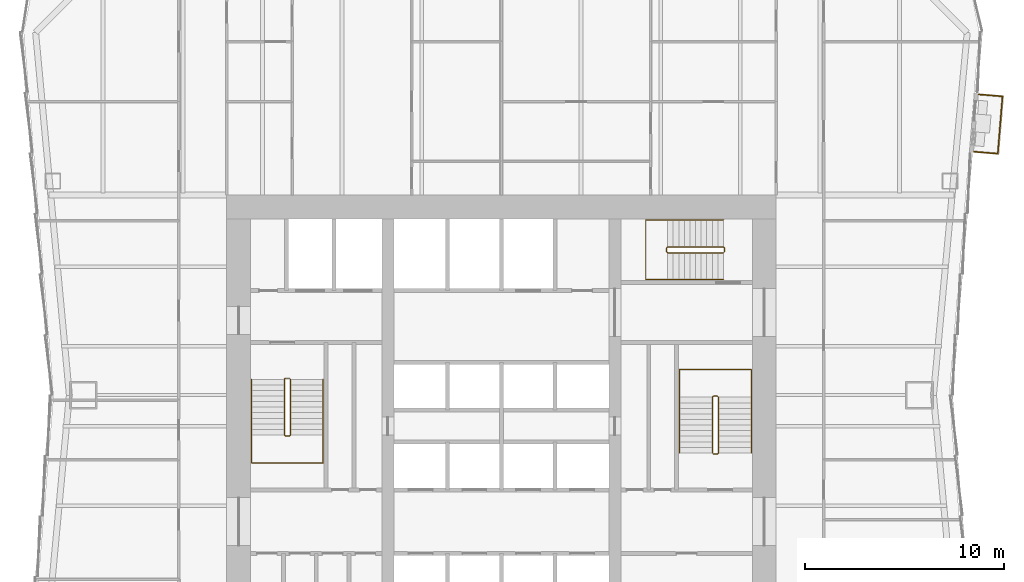
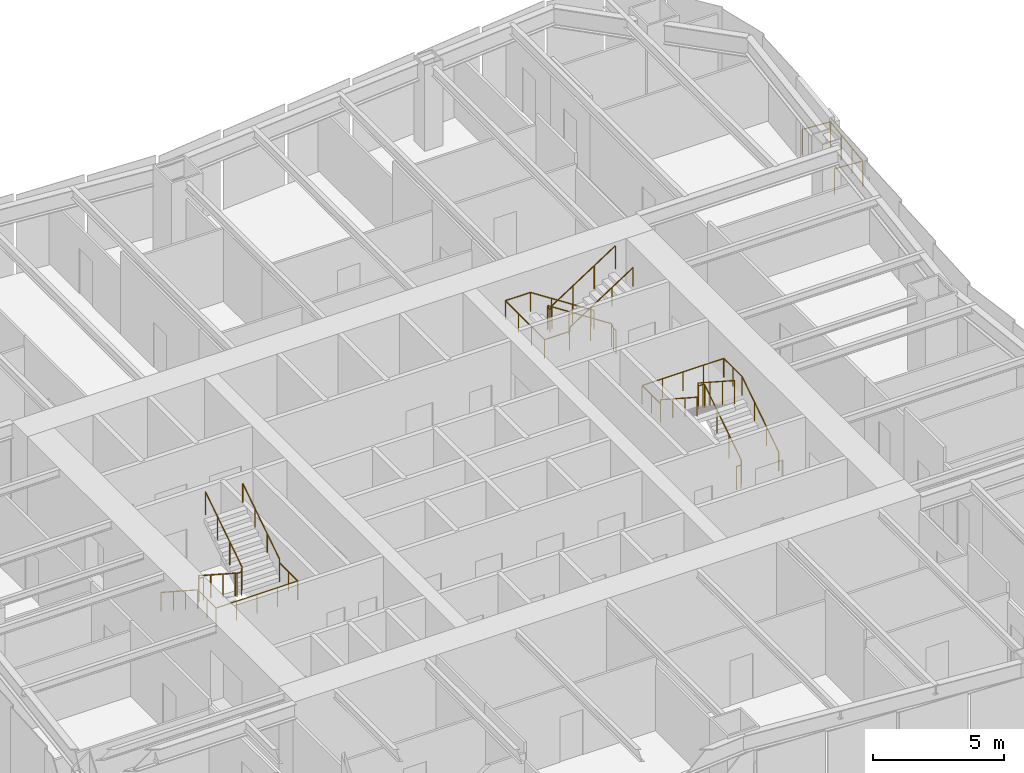
# One storey, part 8 of 9: 7 railings.
"""IFC4 building model written with IfcOpenShell, lengths in metres."""

from ifc_helpers import new_model, si_unit, direction, frame, origin, origin_2d, place, context, subcontext, project, spatial, circle, extrude, material, type_object, element, save


model = new_model("IFC4")

# Units and contexts
model_context = context("Model", 3, precision=1e-05, world=origin(), true_north=direction((0.0, 1.0)))
body_context = subcontext(model_context, "Body", "Model", "MODEL_VIEW")
ifc_project = project(units=[si_unit("LENGTHUNIT", "METRE"), si_unit("AREAUNIT", "SQUARE_METRE"), si_unit("VOLUMEUNIT", "CUBIC_METRE"), si_unit("PLANEANGLEUNIT", "RADIAN"), si_unit("MASSUNIT", "GRAM", prefix="KILO")], contexts=[model_context])

# Site, building, storey
site_placement = place(None, origin())
site = spatial("IfcSite", under=ifc_project, at=site_placement, CompositionType="ELEMENT")
building_placement = place(site_placement, origin())
building = spatial("IfcBuilding", under=site, at=building_placement, Name="Verdant Reach Tower", CompositionType="ELEMENT")
storey_placement = place(building_placement, frame((0.0, 0.0, 74.0)))
storey = spatial("IfcBuildingStorey", under=building, at=storey_placement, Name="L16", CompositionType="ELEMENT", Elevation=74.0)

# Railings
ifc_material_1 = material(Name="Stainless steel", Category="steel")
railing_type_1 = type_object("IfcRailingType", Name="CO-GUARD", PredefinedType="GUARDRAIL", material=ifc_material_1)
railing_1_placement = place(storey_placement, frame((-10.64990234375, 29.60009765625, 0.0)))
element("IfcRailing", 1, at=railing_1_placement, inside=storey, type_object=railing_type_1, Name="L16 ST-1 stair guard 1", PredefinedType="GUARDRAIL", context=body_context, shape_type="SweptSolid", body=[
    extrude(circle(Radius=0.02392578125, at=origin_2d()), frame((0.0, 0.0, 1.076171875), z_axis=(-1.0, 0.0, 0.0), x_axis=(0.0, -1.0, 0.0)), (0.0, 0.0, 1.0), 0.2001953125),
    extrude(circle(Radius=0.02392578125, at=origin_2d()), frame((-0.2001953125, 0.0, 1.076171875), z_axis=(-0.25526617399, -0.256517478764, 0.932222056972), x_axis=(0.708833529934, -0.705375805398, 0.0)), (0.0, 0.0, 1.0), 0.195068359375),
    extrude(circle(Radius=0.02392578125, at=origin_2d()), frame((-0.25, -0.050048828125, 1.2578125), z_axis=(0.0, -0.838705829183, 0.544584733623), x_axis=(1.0, 0.0, 0.0)), (0.0, 0.0, 1.0), 3.338623046875),
    extrude(circle(Radius=0.02392578125, at=origin_2d()), frame((-0.25, -2.85009765625, 3.076171875), z_axis=(0.705375805398, -0.708833529934, 0.0), x_axis=(0.708833529934, 0.705375805398, 0.0)), (0.0, 0.0, 1.0), 0.070556640625),
    extrude(circle(Radius=0.02392578125, at=origin_2d()), frame((-0.2001953125, -2.900146484375, 3.076171875), z_axis=(1.0, 0.0, 0.0), x_axis=(0.0, 1.0, 0.0)), (0.0, 0.0, 1.0), 0.2001953125),
    extrude(circle(Radius=0.02392578125, at=origin_2d()), frame((0.0, -2.900146484375, 3.076171875), z_axis=(0.25526617399, 0.256517478764, 0.932222056972), x_axis=(-0.708833529934, 0.705375805398, 0.0)), (0.0, 0.0, 1.0), 0.195068359375),
    extrude(circle(Radius=0.02392578125, at=origin_2d()), frame((0.0498046875, -2.85009765625, 3.2578125), z_axis=(0.0, 0.838705829183, 0.544584733623), x_axis=(-1.0, 0.0, 0.0)), (0.0, 0.0, 1.0), 3.338623046875),
    extrude(circle(Radius=0.02099609375, at=origin_2d()), origin(), (0.0, 0.0, 1.0), 1.052001953125),
    extrude(circle(Radius=0.02099609375, at=origin_2d()), frame((-0.2001953125, 0.0, 0.0)), (0.0, 0.0, 1.0), 1.052001953125),
    extrude(circle(Radius=0.02099609375, at=origin_2d()), frame((-0.25, -0.050048828125, 0.181884765625)), (0.0, 0.0, 1.0), 1.052001953125),
    extrude(circle(Radius=0.02099609375, at=origin_2d()), frame((-0.25, -0.9833984375, 0.787841796875)), (0.0, 0.0, 1.0), 1.052001953125),
    extrude(circle(Radius=0.02099609375, at=origin_2d()), frame((-0.25, -1.916748046875, 1.39404296875)), (0.0, 0.0, 1.0), 1.052001953125),
    extrude(circle(Radius=0.02099609375, at=origin_2d()), frame((-0.25, -2.85009765625, 2.0)), (0.0, 0.0, 1.0), 1.052001953125),
    extrude(circle(Radius=0.02099609375, at=origin_2d()), frame((-0.2001953125, -2.900146484375, 2.0)), (0.0, 0.0, 1.0), 1.052001953125),
    extrude(circle(Radius=0.02099609375, at=origin_2d()), frame((0.0, -2.900146484375, 2.0)), (0.0, 0.0, 1.0), 1.052001953125),
    extrude(circle(Radius=0.02099609375, at=origin_2d()), frame((0.0498046875, -2.85009765625, 2.181884765625)), (0.0, 0.0, 1.0), 1.052001953125),
    extrude(circle(Radius=0.02099609375, at=origin_2d()), frame((0.0498046875, -1.916748046875, 2.787841796875)), (0.0, 0.0, 1.0), 1.052001953125),
    extrude(circle(Radius=0.02099609375, at=origin_2d()), frame((0.0498046875, -0.9833984375, 3.39404296875)), (0.0, 0.0, 1.0), 1.052001953125),
    extrude(circle(Radius=0.02099609375, at=origin_2d()), frame((0.0498046875, -0.050048828125, 4.0)), (0.0, 0.0, 1.0), 1.052001953125),
])
railing_2_placement = place(storey_placement, frame((10.64990234375, 25.800048828125, 0.0)))
element("IfcRailing", 2, at=railing_2_placement, inside=storey, type_object=railing_type_1, Name="L16 ST-2 stair guard 1", PredefinedType="GUARDRAIL", context=body_context, shape_type="SweptSolid", body=[
    extrude(circle(Radius=0.02392578125, at=origin_2d()), frame((0.0, 0.0, 1.076171875), z_axis=(1.0, 0.0, 0.0), x_axis=(0.0, 1.0, 0.0)), (0.0, 0.0, 1.0), 0.2001953125),
    extrude(circle(Radius=0.02392578125, at=origin_2d()), frame((0.2001953125, 0.0, 1.076171875), z_axis=(0.25526617399, 0.256517478764, 0.932222056972), x_axis=(-0.708833529934, 0.705375805398, 0.0)), (0.0, 0.0, 1.0), 0.195068359375),
    extrude(circle(Radius=0.02392578125, at=origin_2d()), frame((0.25, 0.050048828125, 1.2578125), z_axis=(0.0, 0.83868413941, 0.544618136222), x_axis=(-1.0, 0.0, 0.0)), (0.0, 0.0, 1.0), 3.33837890625),
    extrude(circle(Radius=0.02392578125, at=origin_2d()), frame((0.25, 2.849853515625, 3.076171875), z_axis=(-0.705375805398, 0.708833529934, 0.0), x_axis=(-0.708833529934, -0.705375805398, 0.0)), (0.0, 0.0, 1.0), 0.070556640625),
    extrude(circle(Radius=0.02392578125, at=origin_2d()), frame((0.2001953125, 2.89990234375, 3.076171875), z_axis=(-1.0, 0.0, 0.0), x_axis=(0.0, -1.0, 0.0)), (0.0, 0.0, 1.0), 0.2001953125),
    extrude(circle(Radius=0.02392578125, at=origin_2d()), frame((0.0, 2.89990234375, 3.076171875), z_axis=(-0.25526617399, -0.256517478764, 0.932222056972), x_axis=(0.708833529934, -0.705375805398, 0.0)), (0.0, 0.0, 1.0), 0.195068359375),
    extrude(circle(Radius=0.02392578125, at=origin_2d()), frame((-0.0498046875, 2.849853515625, 3.2578125), z_axis=(0.0, -0.83868413941, 0.544618136222), x_axis=(1.0, 0.0, 0.0)), (0.0, 0.0, 1.0), 3.33837890625),
    extrude(circle(Radius=0.02099609375, at=origin_2d()), origin(), (0.0, 0.0, 1.0), 1.052001953125),
    extrude(circle(Radius=0.02099609375, at=origin_2d()), frame((0.2001953125, 0.0, 0.0)), (0.0, 0.0, 1.0), 1.052001953125),
    extrude(circle(Radius=0.02099609375, at=origin_2d()), frame((0.25, 0.050048828125, 0.181884765625)), (0.0, 0.0, 1.0), 1.052001953125),
    extrude(circle(Radius=0.02099609375, at=origin_2d()), frame((0.25, 0.9833984375, 0.787841796875)), (0.0, 0.0, 1.0), 1.052001953125),
    extrude(circle(Radius=0.02099609375, at=origin_2d()), frame((0.25, 1.91650390625, 1.39404296875)), (0.0, 0.0, 1.0), 1.052001953125),
    extrude(circle(Radius=0.02099609375, at=origin_2d()), frame((0.25, 2.849853515625, 2.0)), (0.0, 0.0, 1.0), 1.052001953125),
    extrude(circle(Radius=0.02099609375, at=origin_2d()), frame((0.2001953125, 2.89990234375, 2.0)), (0.0, 0.0, 1.0), 1.052001953125),
    extrude(circle(Radius=0.02099609375, at=origin_2d()), frame((0.0, 2.89990234375, 2.0)), (0.0, 0.0, 1.0), 1.052001953125),
    extrude(circle(Radius=0.02099609375, at=origin_2d()), frame((-0.0498046875, 2.849853515625, 2.181884765625)), (0.0, 0.0, 1.0), 1.052001953125),
    extrude(circle(Radius=0.02099609375, at=origin_2d()), frame((-0.0498046875, 1.91650390625, 2.787841796875)), (0.0, 0.0, 1.0), 1.052001953125),
    extrude(circle(Radius=0.02099609375, at=origin_2d()), frame((-0.0498046875, 0.9833984375, 3.39404296875)), (0.0, 0.0, 1.0), 1.052001953125),
    extrude(circle(Radius=0.02099609375, at=origin_2d()), frame((-0.0498046875, 0.050048828125, 4.0)), (0.0, 0.0, 1.0), 1.052001953125),
])
railing_3_placement = place(storey_placement, frame((11.199951171875, 35.949951171875, 0.0)))
element("IfcRailing", 3, at=railing_3_placement, inside=storey, type_object=railing_type_1, Name="L16 ST-3 stair guard 1", PredefinedType="GUARDRAIL", context=body_context, shape_type="SweptSolid", body=[
    extrude(circle(Radius=0.02392578125, at=origin_2d()), frame((0.0, 0.0, 1.076171875), z_axis=(0.0, 1.0, 0.0), x_axis=(-1.0, 0.0, 0.0)), (0.0, 0.0, 1.0), 0.199951171875),
    extrude(circle(Radius=0.02392578125, at=origin_2d()), frame((0.0, 0.199951171875, 1.076171875), z_axis=(-0.256435381639, 0.256435381639, 0.931923704005), x_axis=(-0.707106781187, -0.707106781187, 0.0)), (0.0, 0.0, 1.0), 0.195068359375),
    extrude(circle(Radius=0.02392578125, at=origin_2d()), frame((-0.050048828125, 0.25, 1.2578125), z_axis=(-0.83868413941, 0.0, 0.544618136222), x_axis=(0.0, -1.0, 0.0)), (0.0, 0.0, 1.0), 3.33837890625),
    extrude(circle(Radius=0.02392578125, at=origin_2d()), frame((-2.849853515625, 0.25, 3.076171875), z_axis=(-0.707106781187, -0.707106781187, 0.0), x_axis=(0.707106781187, -0.707106781187, 0.0)), (0.0, 0.0, 1.0), 0.07080078125),
    extrude(circle(Radius=0.02392578125, at=origin_2d()), frame((-2.89990234375, 0.199951171875, 3.076171875), z_axis=(0.0, -1.0, 0.0), x_axis=(1.0, 0.0, 0.0)), (0.0, 0.0, 1.0), 0.199951171875),
    extrude(circle(Radius=0.02392578125, at=origin_2d()), frame((-2.89990234375, 0.0, 3.076171875), z_axis=(0.256435381639, -0.256435381639, 0.931923704005), x_axis=(0.707106781187, 0.707106781187, 0.0)), (0.0, 0.0, 1.0), 0.195068359375),
    extrude(circle(Radius=0.02392578125, at=origin_2d()), frame((-2.849853515625, -0.050048828125, 3.2578125), z_axis=(0.83868413941, 0.0, 0.544618136222), x_axis=(0.0, 1.0, 0.0)), (0.0, 0.0, 1.0), 3.33837890625),
    extrude(circle(Radius=0.02099609375, at=origin_2d()), origin(), (0.0, 0.0, 1.0), 1.052001953125),
    extrude(circle(Radius=0.02099609375, at=origin_2d()), frame((0.0, 0.199951171875, 0.0)), (0.0, 0.0, 1.0), 1.052001953125),
    extrude(circle(Radius=0.02099609375, at=origin_2d()), frame((-0.050048828125, 0.25, 0.181884765625)), (0.0, 0.0, 1.0), 1.052001953125),
    extrude(circle(Radius=0.02099609375, at=origin_2d()), frame((-0.9833984375, 0.25, 0.787841796875)), (0.0, 0.0, 1.0), 1.052001953125),
    extrude(circle(Radius=0.02099609375, at=origin_2d()), frame((-1.91650390625, 0.25, 1.39404296875)), (0.0, 0.0, 1.0), 1.052001953125),
    extrude(circle(Radius=0.02099609375, at=origin_2d()), frame((-2.849853515625, 0.25, 2.0)), (0.0, 0.0, 1.0), 1.052001953125),
    extrude(circle(Radius=0.02099609375, at=origin_2d()), frame((-2.89990234375, 0.199951171875, 2.0)), (0.0, 0.0, 1.0), 1.052001953125),
    extrude(circle(Radius=0.02099609375, at=origin_2d()), frame((-2.89990234375, 0.0, 2.0)), (0.0, 0.0, 1.0), 1.052001953125),
    extrude(circle(Radius=0.02099609375, at=origin_2d()), frame((-2.849853515625, -0.050048828125, 2.181884765625)), (0.0, 0.0, 1.0), 1.052001953125),
    extrude(circle(Radius=0.02099609375, at=origin_2d()), frame((-1.91650390625, -0.050048828125, 2.787841796875)), (0.0, 0.0, 1.0), 1.052001953125),
    extrude(circle(Radius=0.02099609375, at=origin_2d()), frame((-0.9833984375, -0.050048828125, 3.39404296875)), (0.0, 0.0, 1.0), 1.052001953125),
    extrude(circle(Radius=0.02099609375, at=origin_2d()), frame((-0.050048828125, -0.050048828125, 4.0)), (0.0, 0.0, 1.0), 1.052001953125),
])
railing_type_2 = type_object("IfcRailingType", Name="CO-HANDRAIL", PredefinedType="HANDRAIL", material=ifc_material_1)
railing_4_placement = place(storey_placement, frame((-12.550048828125, 29.550048828125, 0.181884765625)))
element("IfcRailing", 4, at=railing_4_placement, inside=storey, type_object=railing_type_2, Name="L16 ST-1 stair handrail 1", PredefinedType="HANDRAIL", context=body_context, shape_type="SweptSolid", body=[
    extrude(circle(Radius=0.02392578125, at=origin_2d()), frame((0.0, 0.0, 0.8759765625), z_axis=(0.0, -0.838705829183, 0.544584733623), x_axis=(1.0, 0.0, 0.0)), (0.0, 0.0, 1.0), 3.338623046875),
    extrude(circle(Radius=0.02392578125, at=origin_2d()), frame((0.0, -2.800048828125, 2.69384765625), z_axis=(0.0, -1.0, 0.0), x_axis=(1.0, 0.0, 0.0)), (0.0, 0.0, 1.0), 1.39990234375),
    extrude(circle(Radius=0.02392578125, at=origin_2d()), frame((0.0, -4.199951171875, 2.69384765625), z_axis=(1.0, 0.0, 0.0), x_axis=(0.0, 1.0, 0.0)), (0.0, 0.0, 1.0), 3.60009765625),
    extrude(circle(Radius=0.02392578125, at=origin_2d()), frame((3.60009765625, -4.199951171875, 2.69384765625), z_axis=(0.0, 1.0, 0.0), x_axis=(-1.0, 0.0, 0.0)), (0.0, 0.0, 1.0), 1.39990234375),
    extrude(circle(Radius=0.02392578125, at=origin_2d()), frame((3.60009765625, -2.800048828125, 2.69384765625), z_axis=(0.0, 0.0, 1.0), x_axis=(1.0, 0.0, 0.0)), (0.0, 0.0, 1.0), 0.181884765625),
    extrude(circle(Radius=0.02392578125, at=origin_2d()), frame((3.60009765625, -2.800048828125, 2.8759765625), z_axis=(0.0, 0.838705829183, 0.544584733623), x_axis=(-1.0, 0.0, 0.0)), (0.0, 0.0, 1.0), 3.338623046875),
    extrude(circle(Radius=0.02099609375, at=origin_2d()), origin(), (0.0, 0.0, 1.0), 0.851806640625),
    extrude(circle(Radius=0.02099609375, at=origin_2d()), frame((0.0, -0.933349609375, 0.60595703125)), (0.0, 0.0, 1.0), 0.851806640625),
    extrude(circle(Radius=0.02099609375, at=origin_2d()), frame((0.0, -1.86669921875, 1.212158203125)), (0.0, 0.0, 1.0), 0.851806640625),
    extrude(circle(Radius=0.02099609375, at=origin_2d()), frame((0.0, -2.800048828125, 1.818115234375)), (0.0, 0.0, 1.0), 0.851806640625),
    extrude(circle(Radius=0.02099609375, at=origin_2d()), frame((0.0, -3.5, 1.818115234375)), (0.0, 0.0, 1.0), 0.851806640625),
    extrude(circle(Radius=0.02099609375, at=origin_2d()), frame((0.0, -4.199951171875, 1.818115234375)), (0.0, 0.0, 1.0), 0.851806640625),
    extrude(circle(Radius=0.02099609375, at=origin_2d()), frame((0.89990234375, -4.199951171875, 1.818115234375)), (0.0, 0.0, 1.0), 0.851806640625),
    extrude(circle(Radius=0.02099609375, at=origin_2d()), frame((1.800048828125, -4.199951171875, 1.818115234375)), (0.0, 0.0, 1.0), 0.851806640625),
    extrude(circle(Radius=0.02099609375, at=origin_2d()), frame((2.7001953125, -4.199951171875, 1.818115234375)), (0.0, 0.0, 1.0), 0.851806640625),
    extrude(circle(Radius=0.02099609375, at=origin_2d()), frame((3.60009765625, -4.199951171875, 1.818115234375)), (0.0, 0.0, 1.0), 0.851806640625),
    extrude(circle(Radius=0.02099609375, at=origin_2d()), frame((3.60009765625, -3.5, 1.818115234375)), (0.0, 0.0, 1.0), 0.851806640625),
    extrude(circle(Radius=0.02099609375, at=origin_2d()), frame((3.60009765625, -2.800048828125, 1.818115234375)), (0.0, 0.0, 1.0), 0.851806640625),
    extrude(circle(Radius=0.02099609375, at=origin_2d()), frame((3.60009765625, -2.800048828125, 2.0)), (0.0, 0.0, 1.0), 0.851806640625),
    extrude(circle(Radius=0.02099609375, at=origin_2d()), frame((3.60009765625, -1.86669921875, 2.60595703125)), (0.0, 0.0, 1.0), 0.851806640625),
    extrude(circle(Radius=0.02099609375, at=origin_2d()), frame((3.60009765625, -0.933349609375, 3.212158203125)), (0.0, 0.0, 1.0), 0.851806640625),
    extrude(circle(Radius=0.02099609375, at=origin_2d()), frame((3.60009765625, 0.0, 3.818115234375)), (0.0, 0.0, 1.0), 0.851806640625),
])
railing_5_placement = place(storey_placement, frame((12.550048828125, 25.85009765625, 0.181884765625)))
element("IfcRailing", 5, at=railing_5_placement, inside=storey, type_object=railing_type_2, Name="L16 ST-2 stair handrail 1", PredefinedType="HANDRAIL", context=body_context, shape_type="SweptSolid", body=[
    extrude(circle(Radius=0.02392578125, at=origin_2d()), frame((0.0, 0.0, 0.8759765625), z_axis=(0.0, 0.83868413941, 0.544618136222), x_axis=(-1.0, 0.0, 0.0)), (0.0, 0.0, 1.0), 3.33837890625),
    extrude(circle(Radius=0.02392578125, at=origin_2d()), frame((0.0, 2.7998046875, 2.69384765625), z_axis=(0.0, 1.0, 0.0), x_axis=(-1.0, 0.0, 0.0)), (0.0, 0.0, 1.0), 1.400146484375),
    extrude(circle(Radius=0.02392578125, at=origin_2d()), frame((0.0, 4.199951171875, 2.69384765625), z_axis=(-1.0, 0.0, 0.0), x_axis=(0.0, -1.0, 0.0)), (0.0, 0.0, 1.0), 3.60009765625),
    extrude(circle(Radius=0.02392578125, at=origin_2d()), frame((-3.60009765625, 4.199951171875, 2.69384765625), z_axis=(0.0, -1.0, 0.0), x_axis=(1.0, 0.0, 0.0)), (0.0, 0.0, 1.0), 1.400146484375),
    extrude(circle(Radius=0.02392578125, at=origin_2d()), frame((-3.60009765625, 2.7998046875, 2.69384765625), z_axis=(0.0, 0.0, 1.0), x_axis=(1.0, 0.0, 0.0)), (0.0, 0.0, 1.0), 0.181884765625),
    extrude(circle(Radius=0.02392578125, at=origin_2d()), frame((-3.60009765625, 2.7998046875, 2.8759765625), z_axis=(0.0, -0.83868413941, 0.544618136222), x_axis=(1.0, 0.0, 0.0)), (0.0, 0.0, 1.0), 3.33837890625),
    extrude(circle(Radius=0.02099609375, at=origin_2d()), origin(), (0.0, 0.0, 1.0), 0.851806640625),
    extrude(circle(Radius=0.02099609375, at=origin_2d()), frame((0.0, 0.933349609375, 0.60595703125)), (0.0, 0.0, 1.0), 0.851806640625),
    extrude(circle(Radius=0.02099609375, at=origin_2d()), frame((0.0, 1.866455078125, 1.212158203125)), (0.0, 0.0, 1.0), 0.851806640625),
    extrude(circle(Radius=0.02099609375, at=origin_2d()), frame((0.0, 2.7998046875, 1.818115234375)), (0.0, 0.0, 1.0), 0.851806640625),
    extrude(circle(Radius=0.02099609375, at=origin_2d()), frame((0.0, 3.5, 1.818115234375)), (0.0, 0.0, 1.0), 0.851806640625),
    extrude(circle(Radius=0.02099609375, at=origin_2d()), frame((0.0, 4.199951171875, 1.818115234375)), (0.0, 0.0, 1.0), 0.851806640625),
    extrude(circle(Radius=0.02099609375, at=origin_2d()), frame((-0.89990234375, 4.199951171875, 1.818115234375)), (0.0, 0.0, 1.0), 0.851806640625),
    extrude(circle(Radius=0.02099609375, at=origin_2d()), frame((-1.800048828125, 4.199951171875, 1.818115234375)), (0.0, 0.0, 1.0), 0.851806640625),
    extrude(circle(Radius=0.02099609375, at=origin_2d()), frame((-2.7001953125, 4.199951171875, 1.818115234375)), (0.0, 0.0, 1.0), 0.851806640625),
    extrude(circle(Radius=0.02099609375, at=origin_2d()), frame((-3.60009765625, 4.199951171875, 1.818115234375)), (0.0, 0.0, 1.0), 0.851806640625),
    extrude(circle(Radius=0.02099609375, at=origin_2d()), frame((-3.60009765625, 3.5, 1.818115234375)), (0.0, 0.0, 1.0), 0.851806640625),
    extrude(circle(Radius=0.02099609375, at=origin_2d()), frame((-3.60009765625, 2.7998046875, 1.818115234375)), (0.0, 0.0, 1.0), 0.851806640625),
    extrude(circle(Radius=0.02099609375, at=origin_2d()), frame((-3.60009765625, 2.7998046875, 2.0)), (0.0, 0.0, 1.0), 0.851806640625),
    extrude(circle(Radius=0.02099609375, at=origin_2d()), frame((-3.60009765625, 1.866455078125, 2.60595703125)), (0.0, 0.0, 1.0), 0.851806640625),
    extrude(circle(Radius=0.02099609375, at=origin_2d()), frame((-3.60009765625, 0.933349609375, 3.212158203125)), (0.0, 0.0, 1.0), 0.851806640625),
    extrude(circle(Radius=0.02099609375, at=origin_2d()), frame((-3.60009765625, 0.0, 3.818115234375)), (0.0, 0.0, 1.0), 0.851806640625),
])
railing_6_placement = place(storey_placement, frame((11.14990234375, 37.550048828125, 0.181884765625)))
element("IfcRailing", 6, at=railing_6_placement, inside=storey, type_object=railing_type_2, Name="L16 ST-3 stair handrail 1", PredefinedType="HANDRAIL", context=body_context, shape_type="SweptSolid", body=[
    extrude(circle(Radius=0.02392578125, at=origin_2d()), frame((0.0, 0.0, 0.8759765625), z_axis=(-0.83868413941, 0.0, 0.544618136222), x_axis=(0.0, -1.0, 0.0)), (0.0, 0.0, 1.0), 3.33837890625),
    extrude(circle(Radius=0.02392578125, at=origin_2d()), frame((-2.7998046875, 0.0, 2.69384765625), z_axis=(-1.0, 0.0, 0.0), x_axis=(0.0, -1.0, 0.0)), (0.0, 0.0, 1.0), 1.10009765625),
    extrude(circle(Radius=0.02392578125, at=origin_2d()), frame((-3.89990234375, 0.0, 2.69384765625), z_axis=(0.0, -1.0, 0.0), x_axis=(1.0, 0.0, 0.0)), (0.0, 0.0, 1.0), 3.0),
    extrude(circle(Radius=0.02392578125, at=origin_2d()), frame((-3.89990234375, -3.0, 2.69384765625), z_axis=(1.0, 0.0, 0.0), x_axis=(0.0, 1.0, 0.0)), (0.0, 0.0, 1.0), 1.10009765625),
    extrude(circle(Radius=0.02392578125, at=origin_2d()), frame((-2.7998046875, -3.0, 2.69384765625), z_axis=(0.0, 0.0, 1.0), x_axis=(1.0, 0.0, 0.0)), (0.0, 0.0, 1.0), 0.181884765625),
    extrude(circle(Radius=0.02392578125, at=origin_2d()), frame((-2.7998046875, -3.0, 2.8759765625), z_axis=(0.83868413941, 0.0, 0.544618136222), x_axis=(0.0, 1.0, 0.0)), (0.0, 0.0, 1.0), 3.33837890625),
    extrude(circle(Radius=0.02099609375, at=origin_2d()), origin(), (0.0, 0.0, 1.0), 0.851806640625),
    extrude(circle(Radius=0.02099609375, at=origin_2d()), frame((-0.933349609375, 0.0, 0.60595703125)), (0.0, 0.0, 1.0), 0.851806640625),
    extrude(circle(Radius=0.02099609375, at=origin_2d()), frame((-1.866455078125, 0.0, 1.212158203125)), (0.0, 0.0, 1.0), 0.851806640625),
    extrude(circle(Radius=0.02099609375, at=origin_2d()), frame((-2.7998046875, 0.0, 1.818115234375)), (0.0, 0.0, 1.0), 0.851806640625),
    extrude(circle(Radius=0.02099609375, at=origin_2d()), frame((-3.89990234375, 0.0, 1.818115234375)), (0.0, 0.0, 1.0), 0.851806640625),
    extrude(circle(Radius=0.02099609375, at=origin_2d()), frame((-3.89990234375, -1.0, 1.818115234375)), (0.0, 0.0, 1.0), 0.851806640625),
    extrude(circle(Radius=0.02099609375, at=origin_2d()), frame((-3.89990234375, -2.0, 1.818115234375)), (0.0, 0.0, 1.0), 0.851806640625),
    extrude(circle(Radius=0.02099609375, at=origin_2d()), frame((-3.89990234375, -3.0, 1.818115234375)), (0.0, 0.0, 1.0), 0.851806640625),
    extrude(circle(Radius=0.02099609375, at=origin_2d()), frame((-2.7998046875, -3.0, 1.818115234375)), (0.0, 0.0, 1.0), 0.851806640625),
    extrude(circle(Radius=0.02099609375, at=origin_2d()), frame((-2.7998046875, -3.0, 2.0)), (0.0, 0.0, 1.0), 0.851806640625),
    extrude(circle(Radius=0.02099609375, at=origin_2d()), frame((-1.866455078125, -3.0, 2.60595703125)), (0.0, 0.0, 1.0), 0.851806640625),
    extrude(circle(Radius=0.02099609375, at=origin_2d()), frame((-0.933349609375, -3.0, 3.212158203125)), (0.0, 0.0, 1.0), 0.851806640625),
    extrude(circle(Radius=0.02099609375, at=origin_2d()), frame((0.0, -3.0, 3.818115234375)), (0.0, 0.0, 1.0), 0.851806640625),
])
ifc_material_2 = material(Name="Stainless steel and laminated glass balustrade", Category="steel")
railing_type_3 = type_object("IfcRailingType", Name="EN-RAILING BALCONY", PredefinedType="GUARDRAIL", material=ifc_material_2)
railing_7_placement = place(storey_placement, frame((23.741943359375, 40.97802734375, 0.0)))
element("IfcRailing", 7, at=railing_7_placement, inside=storey, type_object=railing_type_3, Name="Balcony guard 1, L16", PredefinedType="GUARDRAIL", context=body_context, shape_type="SweptSolid", body=[
    extrude(circle(Radius=0.02490234375, at=origin_2d()), frame((0.0, 0.0, 1.1748046875), z_axis=(0.996649328179, -0.081793133211, 0.0), x_axis=(0.081793133211, 0.996649328179, 0.0)), (0.0, 0.0, 1.0), 1.19384765625),
    extrude(circle(Radius=0.02490234375, at=origin_2d()), frame((1.18994140625, -0.09765625, 1.1748046875), z_axis=(0.081863827639, 0.996643523896, 0.0), x_axis=(-0.996643523896, 0.081863827639, 0.0)), (0.0, 0.0, 1.0), 2.889892578125),
    extrude(circle(Radius=0.02490234375, at=origin_2d()), frame((1.426513671875, 2.782470703125, 1.1748046875), z_axis=(-0.996649328179, 0.081793133211, 0.0), x_axis=(-0.081793133211, -0.996649328179, 0.0)), (0.0, 0.0, 1.0), 1.19384765625),
    extrude(circle(Radius=0.02490234375, at=origin_2d()), origin(), (0.0, 0.0, 1.0), 1.14990234375),
    extrude(circle(Radius=0.02490234375, at=origin_2d()), frame((1.18994140625, -0.09765625, 0.0)), (0.0, 0.0, 1.0), 1.14990234375),
    extrude(circle(Radius=0.02490234375, at=origin_2d()), frame((1.268798828125, 0.8623046875, 0.0)), (0.0, 0.0, 1.0), 1.14990234375),
    extrude(circle(Radius=0.02490234375, at=origin_2d()), frame((1.34765625, 1.822509765625, 0.0)), (0.0, 0.0, 1.0), 1.14990234375),
    extrude(circle(Radius=0.02490234375, at=origin_2d()), frame((1.426513671875, 2.782470703125, 0.0)), (0.0, 0.0, 1.0), 1.14990234375),
    extrude(circle(Radius=0.02490234375, at=origin_2d()), frame((0.236572265625, 2.880126953125, 0.0)), (0.0, 0.0, 1.0), 1.14990234375),
])

save(model, "model.ifc")
